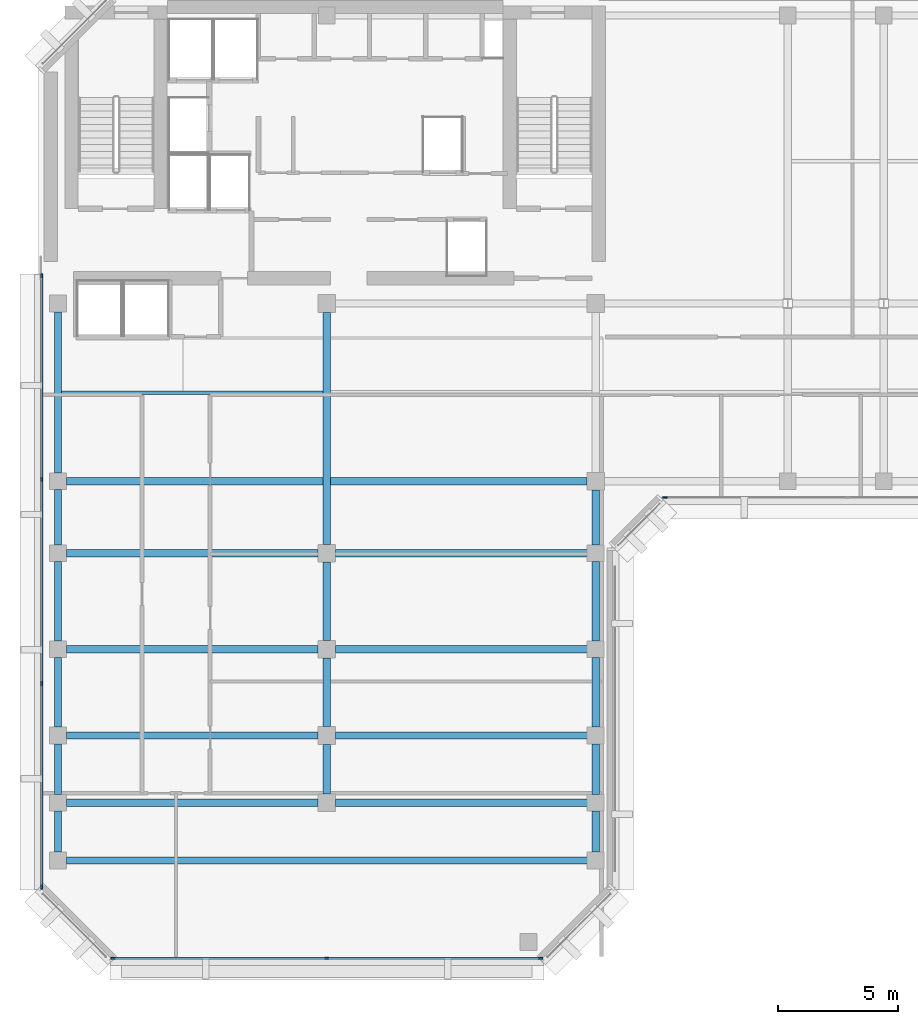
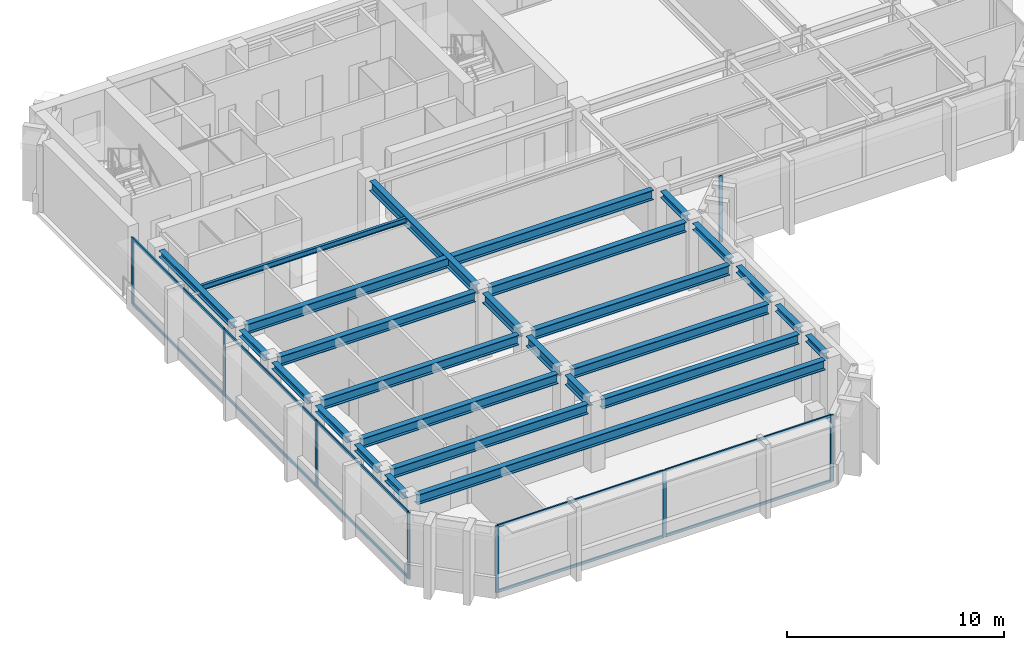
# One storey, part 2 of 11: 26 beams, 18 members, 3 elements without a shape of their own.
"""IFC4 building model written with IfcOpenShell, lengths in metres."""

from ifc_helpers import new_model, si_unit, direction, frame, origin, origin_2d, place, context, subcontext, project, spatial, rectangle, i_section, extrude, material, layer, layer_set, material_profile, profile_set, type_object, element, aggregate, save


model = new_model("IFC4")

# Units and contexts
model_context = context("Model", 3, precision=1e-05, world=origin(), true_north=direction((0.0, 1.0)))
body_context = subcontext(model_context, "Body", "Model", "MODEL_VIEW")
ifc_project = project(units=[si_unit("LENGTHUNIT", "METRE"), si_unit("AREAUNIT", "SQUARE_METRE"), si_unit("VOLUMEUNIT", "CUBIC_METRE"), si_unit("PLANEANGLEUNIT", "RADIAN"), si_unit("MASSUNIT", "GRAM", prefix="KILO")], contexts=[model_context])

# Site, building, storey
site_placement = place(None, origin())
site = spatial("IfcSite", under=ifc_project, at=site_placement, CompositionType="ELEMENT")
building_placement = place(site_placement, origin())
building = spatial("IfcBuilding", under=site, at=building_placement, Name="Kefirva Bronze Tower", CompositionType="ELEMENT")
storey_placement = place(building_placement, frame((0.0, 0.0, 288.090087890625)))
storey = spatial("IfcBuildingStorey", under=building, at=storey_placement, Name="L70", CompositionType="ELEMENT", Elevation=288.090087890625)

# Curtain wall, members
ifc_material_1 = material(Name="Bronze anodised aluminium", Category="aluminium")
ifc_layer = layer(ifc_material_1, 0.179931640625, Name="Bronze anodised aluminium")
ifc_layer_set = layer_set([ifc_layer], Name="Bronze anodised aluminium")
curtain_wall_type = type_object("IfcCurtainWallType", Name="Unitised Bronze Ribbon Curtain Wall Zone 4", PredefinedType="USERDEFINED", material=ifc_layer_set)
curtain_wall_1_placement = place(storey_placement, origin())
curtain_wall_1 = element("IfcCurtainWall", 1, at=curtain_wall_1_placement, inside=storey, type_object=curtain_wall_type, Name="L70 Curtain Wall 1", ObjectType="UNITISED CURTAIN WALL", PredefinedType="USERDEFINED")
ifc_material_profile_1 = material_profile(ifc_material_1, rectangle(XDim=0.074951171875, YDim=0.179931640625, at=origin_2d()), Name="ALU 75x180")
ifc_profile_set_1 = profile_set([ifc_material_profile_1], Name="Bronze anodised aluminium")
member_type_1 = type_object("IfcMemberType", Name="Bronze Mullion 75x180", PredefinedType="MULLION", material=ifc_profile_set_1)
member_1_placement = place(storey_placement, frame((3.092529296875, 5.919921875, 0.0), z_axis=(0.0, 0.0, 1.0), x_axis=(0.0, 1.0, 0.0)))
member_1 = element("IfcMember", 2, at=member_1_placement, type_object=member_type_1, Name="CW-04 mullion 1", PredefinedType="MULLION", context=body_context, shape_type="SweptSolid", body=[
    extrude(rectangle(XDim=0.074951171875, YDim=0.179931640625, at=origin_2d()), origin(), (0.0, 0.0, 1.0), 3.739990234375),
])
member_2_placement = place(storey_placement, frame((12.0, 5.919921875, 0.0), z_axis=(0.0, 0.0, 1.0), x_axis=(0.0, 1.0, 0.0)))
member_2 = element("IfcMember", 3, at=member_2_placement, type_object=member_type_1, Name="CW-04 mullion 2", PredefinedType="MULLION", context=body_context, shape_type="SweptSolid", body=[
    extrude(rectangle(XDim=0.074951171875, YDim=0.179931640625, at=origin_2d()), origin(), (0.0, 0.0, 1.0), 3.739990234375),
])
member_3_placement = place(storey_placement, frame((20.907470703125, 5.919921875, 0.0), z_axis=(0.0, 0.0, 1.0), x_axis=(0.0, 1.0, 0.0)))
member_3 = element("IfcMember", 4, at=member_3_placement, type_object=member_type_1, Name="CW-04 mullion 3", PredefinedType="MULLION", context=body_context, shape_type="SweptSolid", body=[
    extrude(rectangle(XDim=0.074951171875, YDim=0.179931640625, at=origin_2d()), origin(), (0.0, 0.0, 1.0), 3.739990234375),
])

# Curtain wall, member
curtain_wall_2_placement = place(storey_placement, origin())
curtain_wall_2 = element("IfcCurtainWall", 5, at=curtain_wall_2_placement, inside=storey, type_object=curtain_wall_type, Name="L70 Curtain Wall 2", ObjectType="UNITISED CURTAIN WALL", PredefinedType="USERDEFINED")
member_4_placement = place(storey_placement, frame((26.092529296875, 25.1201171875, 0.0), z_axis=(0.0, 0.0, 1.0), x_axis=(0.0, 1.0, 0.0)))
member_4 = element("IfcMember", 6, at=member_4_placement, type_object=member_type_1, Name="CW-04 mullion 1", PredefinedType="MULLION", context=body_context, shape_type="SweptSolid", body=[
    extrude(rectangle(XDim=0.074951171875, YDim=0.179931640625, at=origin_2d()), origin(), (0.0, 0.0, 1.0), 3.739990234375),
])
aggregate(curtain_wall_2, [member_4])

# Curtain wall, members
curtain_wall_3_placement = place(storey_placement, origin())
curtain_wall_3 = element("IfcCurtainWall", 7, at=curtain_wall_3_placement, inside=storey, type_object=curtain_wall_type, Name="L70 Curtain Wall 5", ObjectType="UNITISED CURTAIN WALL", PredefinedType="USERDEFINED")
member_5_placement = place(storey_placement, frame((0.1201171875, 34.357421875, 0.0), z_axis=(0.0, 0.0, 1.0), x_axis=(1.0, 0.0, 0.0)))
member_5 = element("IfcMember", 8, at=member_5_placement, type_object=member_type_1, Name="CW-04 mullion 1", PredefinedType="MULLION", context=body_context, shape_type="SweptSolid", body=[
    extrude(rectangle(XDim=0.074951171875, YDim=0.179931640625, at=origin_2d()), origin(), (0.0, 0.0, 1.0), 3.739990234375),
])
member_6_placement = place(storey_placement, frame((0.1201171875, 25.881591796875, 0.0), z_axis=(0.0, 0.0, 1.0), x_axis=(1.0, 0.0, 0.0)))
member_6 = element("IfcMember", 9, at=member_6_placement, type_object=member_type_1, Name="CW-04 mullion 2", PredefinedType="MULLION", context=body_context, shape_type="SweptSolid", body=[
    extrude(rectangle(XDim=0.074951171875, YDim=0.179931640625, at=origin_2d()), origin(), (0.0, 0.0, 1.0), 3.739990234375),
])
member_7_placement = place(storey_placement, frame((0.1201171875, 17.368408203125, 0.0), z_axis=(0.0, 0.0, 1.0), x_axis=(1.0, 0.0, 0.0)))
member_7 = element("IfcMember", 10, at=member_7_placement, type_object=member_type_1, Name="CW-04 mullion 3", PredefinedType="MULLION", context=body_context, shape_type="SweptSolid", body=[
    extrude(rectangle(XDim=0.074951171875, YDim=0.179931640625, at=origin_2d()), origin(), (0.0, 0.0, 1.0), 3.739990234375),
])
member_8_placement = place(storey_placement, frame((0.1201171875, 8.892578125, 0.0), z_axis=(0.0, 0.0, 1.0), x_axis=(1.0, 0.0, 0.0)))
member_8 = element("IfcMember", 11, at=member_8_placement, type_object=member_type_1, Name="CW-04 mullion 4", PredefinedType="MULLION", context=body_context, shape_type="SweptSolid", body=[
    extrude(rectangle(XDim=0.074951171875, YDim=0.179931640625, at=origin_2d()), origin(), (0.0, 0.0, 1.0), 3.739990234375),
])

# Member
ifc_material_profile_2 = material_profile(ifc_material_1, rectangle(XDim=0.074951171875, YDim=0.14990234375, at=origin_2d()), Name="ALU 75x150")
ifc_profile_set_2 = profile_set([ifc_material_profile_2], Name="Bronze anodised aluminium")
member_type_2 = type_object("IfcMemberType", Name="Bronze Transom 75x150", PredefinedType="USERDEFINED", material=ifc_profile_set_2)
member_9_placement = place(storey_placement, frame((3.1298828125, 5.919921875, 0.037353515625), z_axis=(1.0, 0.0, 0.0), x_axis=(0.0, 1.0, 0.0)))
member_9 = element("IfcMember", 12, at=member_9_placement, type_object=member_type_2, Name="CW-04 transom 1.1", ObjectType="TRANSOM", PredefinedType="USERDEFINED", context=body_context, shape_type="SweptSolid", body=[
    extrude(rectangle(XDim=0.074951171875, YDim=0.14990234375, at=origin_2d()), origin(), (0.0, 0.0, 1.0), 8.83251953125),
])

member_10_placement = place(storey_placement, frame((3.1298828125, 5.919921875, 3.702392578125), z_axis=(1.0, 0.0, 0.0), x_axis=(0.0, 1.0, 0.0)))
member_10 = element("IfcMember", 13, at=member_10_placement, type_object=member_type_2, Name="CW-04 transom 1.2", ObjectType="TRANSOM", PredefinedType="USERDEFINED", context=body_context, shape_type="SweptSolid", body=[
    extrude(rectangle(XDim=0.074951171875, YDim=0.14990234375, at=origin_2d()), origin(), (0.0, 0.0, 1.0), 8.83251953125),
])

member_11_placement = place(storey_placement, frame((12.03759765625, 5.919921875, 0.037353515625), z_axis=(1.0, 0.0, 0.0), x_axis=(0.0, 1.0, 0.0)))
member_11 = element("IfcMember", 14, at=member_11_placement, type_object=member_type_2, Name="CW-04 transom 2.1", ObjectType="TRANSOM", PredefinedType="USERDEFINED", context=body_context, shape_type="SweptSolid", body=[
    extrude(rectangle(XDim=0.074951171875, YDim=0.14990234375, at=origin_2d()), origin(), (0.0, 0.0, 1.0), 8.83251953125),
])

member_12_placement = place(storey_placement, frame((12.03759765625, 5.919921875, 3.702392578125), z_axis=(1.0, 0.0, 0.0), x_axis=(0.0, 1.0, 0.0)))
member_12 = element("IfcMember", 15, at=member_12_placement, type_object=member_type_2, Name="CW-04 transom 2.2", ObjectType="TRANSOM", PredefinedType="USERDEFINED", context=body_context, shape_type="SweptSolid", body=[
    extrude(rectangle(XDim=0.074951171875, YDim=0.14990234375, at=origin_2d()), origin(), (0.0, 0.0, 1.0), 8.83251953125),
])

aggregate(curtain_wall_1, [member_1, member_2, member_3, member_9, member_10, member_11, member_12])

member_13_placement = place(storey_placement, frame((0.1201171875, 34.320068359375, 0.037353515625), z_axis=(0.0, -1.0, 0.0), x_axis=(1.0, 0.0, 0.0)))
member_13 = element("IfcMember", 16, at=member_13_placement, type_object=member_type_2, Name="CW-04 transom 1.1", ObjectType="TRANSOM", PredefinedType="USERDEFINED", context=body_context, shape_type="SweptSolid", body=[
    extrude(rectangle(XDim=0.074951171875, YDim=0.14990234375, at=origin_2d()), origin(), (0.0, 0.0, 1.0), 8.40087890625),
])

member_14_placement = place(storey_placement, frame((0.1201171875, 34.320068359375, 3.702392578125), z_axis=(0.0, -1.0, 0.0), x_axis=(1.0, 0.0, 0.0)))
member_14 = element("IfcMember", 17, at=member_14_placement, type_object=member_type_2, Name="CW-04 transom 1.2", ObjectType="TRANSOM", PredefinedType="USERDEFINED", context=body_context, shape_type="SweptSolid", body=[
    extrude(rectangle(XDim=0.074951171875, YDim=0.14990234375, at=origin_2d()), origin(), (0.0, 0.0, 1.0), 8.40087890625),
])

member_15_placement = place(storey_placement, frame((0.1201171875, 25.84423828125, 0.037353515625), z_axis=(0.0, -1.0, 0.0), x_axis=(1.0, 0.0, 0.0)))
member_15 = element("IfcMember", 18, at=member_15_placement, type_object=member_type_2, Name="CW-04 transom 2.1", ObjectType="TRANSOM", PredefinedType="USERDEFINED", context=body_context, shape_type="SweptSolid", body=[
    extrude(rectangle(XDim=0.074951171875, YDim=0.14990234375, at=origin_2d()), origin(), (0.0, 0.0, 1.0), 8.4384765625),
])

member_16_placement = place(storey_placement, frame((0.1201171875, 25.84423828125, 3.702392578125), z_axis=(0.0, -1.0, 0.0), x_axis=(1.0, 0.0, 0.0)))
member_16 = element("IfcMember", 19, at=member_16_placement, type_object=member_type_2, Name="CW-04 transom 2.2", ObjectType="TRANSOM", PredefinedType="USERDEFINED", context=body_context, shape_type="SweptSolid", body=[
    extrude(rectangle(XDim=0.074951171875, YDim=0.14990234375, at=origin_2d()), origin(), (0.0, 0.0, 1.0), 8.4384765625),
])

member_17_placement = place(storey_placement, frame((0.1201171875, 17.330810546875, 0.037353515625), z_axis=(0.0, -1.0, 0.0), x_axis=(1.0, 0.0, 0.0)))
member_17 = element("IfcMember", 20, at=member_17_placement, type_object=member_type_2, Name="CW-04 transom 3.1", ObjectType="TRANSOM", PredefinedType="USERDEFINED", context=body_context, shape_type="SweptSolid", body=[
    extrude(rectangle(XDim=0.074951171875, YDim=0.14990234375, at=origin_2d()), origin(), (0.0, 0.0, 1.0), 8.40087890625),
])

member_18_placement = place(storey_placement, frame((0.1201171875, 17.330810546875, 3.702392578125), z_axis=(0.0, -1.0, 0.0), x_axis=(1.0, 0.0, 0.0)))
member_18 = element("IfcMember", 21, at=member_18_placement, type_object=member_type_2, Name="CW-04 transom 3.2", ObjectType="TRANSOM", PredefinedType="USERDEFINED", context=body_context, shape_type="SweptSolid", body=[
    extrude(rectangle(XDim=0.074951171875, YDim=0.14990234375, at=origin_2d()), origin(), (0.0, 0.0, 1.0), 8.40087890625),
])

aggregate(curtain_wall_3, [member_5, member_6, member_7, member_8, member_13, member_14, member_15, member_16, member_17, member_18])

# Beams
ifc_material_2 = material(Name="Steel S355", Category="steel")
ifc_material_profile_3 = material_profile(ifc_material_2, i_section(OverallWidth=0.14990234375, OverallDepth=0.300048828125, WebThickness=0.007080078125, FlangeThickness=0.0107421875, at=origin_2d()), Name="IPE 300")
ifc_profile_set_3 = profile_set([ifc_material_profile_3], Name="Steel S355")
beam_type_1 = type_object("IfcBeamType", Name="Steel Floor Joist IPE 300", PredefinedType="JOIST", material=ifc_profile_set_3)
beam_1_placement = place(storey_placement, frame((0.949951171875, 29.489990234375, 3.58984375), z_axis=(1.0, 0.0, 0.0), x_axis=(0.0, 1.0, 0.0)))
element("IfcBeam", 22, at=beam_1_placement, inside=storey, type_object=beam_type_1, Name="L70 JST-L70-0-294", PredefinedType="JOIST", context=body_context, shape_type="SweptSolid", body=[
    extrude(i_section(OverallWidth=0.14990234375, OverallDepth=0.300048828125, WebThickness=0.007080078125, FlangeThickness=0.0107421875, at=origin_2d()), origin(), (0.0, 0.0, 1.0), 10.900146484375),
])
ifc_material_profile_4 = material_profile(ifc_material_2, i_section(OverallWidth=0.300048828125, OverallDepth=0.550048828125, WebThickness=0.014892578125, FlangeThickness=0.029052734375, at=origin_2d()), Name="HEB 550")
ifc_profile_set_4 = profile_set([ifc_material_profile_4], Name="Steel S355")
beam_type_2 = type_object("IfcBeamType", Name="Steel Girder HEB 550", PredefinedType="USERDEFINED", material=ifc_profile_set_4)
beam_2_placement = place(storey_placement, frame((1.14990234375, 10.0, 3.46484375), z_axis=(1.0, 0.0, 0.0), x_axis=(0.0, 1.0, 0.0)))
element("IfcBeam", 23, at=beam_2_placement, inside=storey, type_object=beam_type_2, Name="L70 BM-L70-EW-0-100", ObjectType="GIRDER", PredefinedType="USERDEFINED", context=body_context, shape_type="SweptSolid", body=[
    extrude(i_section(OverallWidth=0.300048828125, OverallDepth=0.550048828125, WebThickness=0.014892578125, FlangeThickness=0.029052734375, at=origin_2d()), origin(), (0.0, 0.0, 1.0), 21.7001953125),
])
for number, where, z_axis, x_axis, name in (
    (24, (1.14990234375, 12.39990234375, 3.46484375), (1.0, 0.0, 0.0), (0.0, 1.0, 0.0), "L70 BM-L70-EW-0-124"),
    (25, (12.3701171875, 12.39990234375, 3.46484375), (1.0, 0.0, 0.0), (0.0, 1.0, 0.0), "L70 BM-L70-EW-12-124"),
    (26, (1.14990234375, 15.199951171875, 3.46484375), (1.0, 0.0, 0.0), (0.0, 1.0, 0.0), "L70 BM-L70-EW-0-152"),
    (27, (12.3701171875, 15.199951171875, 3.46484375), (1.0, 0.0, 0.0), (0.0, 1.0, 0.0), "L70 BM-L70-EW-12-152"),
    (28, (1.14990234375, 18.800048828125, 3.46484375), (1.0, 0.0, 0.0), (0.0, 1.0, 0.0), "L70 BM-L70-EW-0-188"),
    (29, (12.3701171875, 18.800048828125, 3.46484375), (1.0, 0.0, 0.0), (0.0, 1.0, 0.0), "L70 BM-L70-EW-12-188"),
    (30, (1.14990234375, 22.800048828125, 3.46484375), (1.0, 0.0, 0.0), (0.0, 1.0, 0.0), "L70 BM-L70-EW-0-228"),
    (31, (12.3701171875, 22.800048828125, 3.46484375), (1.0, 0.0, 0.0), (0.0, 1.0, 0.0), "L70 BM-L70-EW-12-228"),
):
    element("IfcBeam", number, at=place(storey_placement, frame(where, z_axis=z_axis, x_axis=x_axis)), inside=storey, type_object=beam_type_2, Name=name, ObjectType="GIRDER", PredefinedType="USERDEFINED", context=body_context, shape_type="SweptSolid", body=[
        extrude(i_section(OverallWidth=0.300048828125, OverallDepth=0.550048828125, WebThickness=0.014892578125, FlangeThickness=0.029052734375, at=origin_2d()), origin(), (0.0, 0.0, 1.0), 10.47998046875),
    ])
beam_3_placement = place(storey_placement, frame((1.14990234375, 25.800048828125, 3.46484375), z_axis=(1.0, 0.0, 0.0), x_axis=(0.0, 1.0, 0.0)))
element("IfcBeam", 32, at=beam_3_placement, inside=storey, type_object=beam_type_2, Name="L70 BM-L70-EW-0-258", ObjectType="GIRDER", PredefinedType="USERDEFINED", context=body_context, shape_type="SweptSolid", body=[
    extrude(i_section(OverallWidth=0.300048828125, OverallDepth=0.550048828125, WebThickness=0.014892578125, FlangeThickness=0.029052734375, at=origin_2d()), origin(), (0.0, 0.0, 1.0), 21.68017578125),
])
beam_4_placement = place(storey_placement, frame((12.0, 12.77001953125, 3.46484375), z_axis=(0.0, 1.0, 0.0), x_axis=(-1.0, 0.0, 0.0)))
element("IfcBeam", 33, at=beam_4_placement, inside=storey, type_object=beam_type_2, Name="L70 BM-L70-NS-120-12", ObjectType="GIRDER", PredefinedType="USERDEFINED", context=body_context, shape_type="SweptSolid", body=[
    extrude(i_section(OverallWidth=0.300048828125, OverallDepth=0.550048828125, WebThickness=0.014892578125, FlangeThickness=0.029052734375, at=origin_2d()), origin(), (0.0, 0.0, 1.0), 2.06005859375),
])
beam_5_placement = place(storey_placement, frame((12.0, 15.570068359375, 3.46484375), z_axis=(0.0, 1.0, 0.0), x_axis=(-1.0, 0.0, 0.0)))
element("IfcBeam", 34, at=beam_5_placement, inside=storey, type_object=beam_type_2, Name="L70 BM-L70-NS-120-15", ObjectType="GIRDER", PredefinedType="USERDEFINED", context=body_context, shape_type="SweptSolid", body=[
    extrude(i_section(OverallWidth=0.300048828125, OverallDepth=0.550048828125, WebThickness=0.014892578125, FlangeThickness=0.029052734375, at=origin_2d()), origin(), (0.0, 0.0, 1.0), 2.85986328125),
])
beam_6_placement = place(storey_placement, frame((12.0, 19.169921875, 3.46484375), z_axis=(0.0, 1.0, 0.0), x_axis=(-1.0, 0.0, 0.0)))
element("IfcBeam", 35, at=beam_6_placement, inside=storey, type_object=beam_type_2, Name="L70 BM-L70-NS-120-18", ObjectType="GIRDER", PredefinedType="USERDEFINED", context=body_context, shape_type="SweptSolid", body=[
    extrude(i_section(OverallWidth=0.300048828125, OverallDepth=0.550048828125, WebThickness=0.014892578125, FlangeThickness=0.029052734375, at=origin_2d()), origin(), (0.0, 0.0, 1.0), 3.260009765625),
])
beam_7_placement = place(storey_placement, frame((12.0, 23.169921875, 3.46484375), z_axis=(0.0, 1.0, 0.0), x_axis=(-1.0, 0.0, 0.0)))
element("IfcBeam", 36, at=beam_7_placement, inside=storey, type_object=beam_type_2, Name="L70 BM-L70-NS-120-22", ObjectType="GIRDER", PredefinedType="USERDEFINED", context=body_context, shape_type="SweptSolid", body=[
    extrude(i_section(OverallWidth=0.300048828125, OverallDepth=0.550048828125, WebThickness=0.014892578125, FlangeThickness=0.029052734375, at=origin_2d()), origin(), (0.0, 0.0, 1.0), 9.66015625),
])
ifc_material_profile_5 = material_profile(ifc_material_2, i_section(OverallWidth=0.300048828125, OverallDepth=0.360107421875, WebThickness=0.012451171875, FlangeThickness=0.0224609375, at=origin_2d()), Name="HEB 360")
ifc_profile_set_5 = profile_set([ifc_material_profile_5], Name="Steel S355")
beam_type_3 = type_object("IfcBeamType", Name="Steel Spandrel HEB 360 Ext", PredefinedType="SPANDREL", material=ifc_profile_set_5)
beam_8_placement = place(storey_placement, frame((0.800048828125, 10.35009765625, 3.559814453125), z_axis=(0.0, 1.0, 0.0), x_axis=(-1.0, 0.0, 0.0)))
element("IfcBeam", 37, at=beam_8_placement, inside=storey, type_object=beam_type_3, Name="L70 BM-L70-NS-8-10", PredefinedType="SPANDREL", context=body_context, shape_type="SweptSolid", body=[
    extrude(i_section(OverallWidth=0.300048828125, OverallDepth=0.360107421875, WebThickness=0.012451171875, FlangeThickness=0.0224609375, at=origin_2d()), origin(), (0.0, 0.0, 1.0), 1.699951171875),
])
beam_9_placement = place(storey_placement, frame((0.800048828125, 12.75, 3.559814453125), z_axis=(0.0, 1.0, 0.0), x_axis=(-1.0, 0.0, 0.0)))
element("IfcBeam", 38, at=beam_9_placement, inside=storey, type_object=beam_type_3, Name="L70 BM-L70-NS-8-12", PredefinedType="SPANDREL", context=body_context, shape_type="SweptSolid", body=[
    extrude(i_section(OverallWidth=0.300048828125, OverallDepth=0.360107421875, WebThickness=0.012451171875, FlangeThickness=0.0224609375, at=origin_2d()), origin(), (0.0, 0.0, 1.0), 2.10009765625),
])
beam_10_placement = place(storey_placement, frame((0.800048828125, 15.550048828125, 3.559814453125), z_axis=(0.0, 1.0, 0.0), x_axis=(-1.0, 0.0, 0.0)))
element("IfcBeam", 39, at=beam_10_placement, inside=storey, type_object=beam_type_3, Name="L70 BM-L70-NS-8-15", PredefinedType="SPANDREL", context=body_context, shape_type="SweptSolid", body=[
    extrude(i_section(OverallWidth=0.300048828125, OverallDepth=0.360107421875, WebThickness=0.012451171875, FlangeThickness=0.0224609375, at=origin_2d()), origin(), (0.0, 0.0, 1.0), 2.89990234375),
])
beam_11_placement = place(storey_placement, frame((0.800048828125, 19.14990234375, 3.559814453125), z_axis=(0.0, 1.0, 0.0), x_axis=(-1.0, 0.0, 0.0)))
element("IfcBeam", 40, at=beam_11_placement, inside=storey, type_object=beam_type_3, Name="L70 BM-L70-NS-8-18", PredefinedType="SPANDREL", context=body_context, shape_type="SweptSolid", body=[
    extrude(i_section(OverallWidth=0.300048828125, OverallDepth=0.360107421875, WebThickness=0.012451171875, FlangeThickness=0.0224609375, at=origin_2d()), origin(), (0.0, 0.0, 1.0), 3.300048828125),
])
beam_12_placement = place(storey_placement, frame((0.800048828125, 23.14990234375, 3.559814453125), z_axis=(0.0, 1.0, 0.0), x_axis=(-1.0, 0.0, 0.0)))
element("IfcBeam", 41, at=beam_12_placement, inside=storey, type_object=beam_type_3, Name="L70 BM-L70-NS-8-22", PredefinedType="SPANDREL", context=body_context, shape_type="SweptSolid", body=[
    extrude(i_section(OverallWidth=0.300048828125, OverallDepth=0.360107421875, WebThickness=0.012451171875, FlangeThickness=0.0224609375, at=origin_2d()), origin(), (0.0, 0.0, 1.0), 2.300048828125),
])
beam_13_placement = place(storey_placement, frame((0.800048828125, 26.14990234375, 3.559814453125), z_axis=(0.0, 1.0, 0.0), x_axis=(-1.0, 0.0, 0.0)))
element("IfcBeam", 42, at=beam_13_placement, inside=storey, type_object=beam_type_3, Name="L70 BM-L70-NS-8-25", PredefinedType="SPANDREL", context=body_context, shape_type="SweptSolid", body=[
    extrude(i_section(OverallWidth=0.300048828125, OverallDepth=0.360107421875, WebThickness=0.012451171875, FlangeThickness=0.0224609375, at=origin_2d()), origin(), (0.0, 0.0, 1.0), 6.7001953125),
])
beam_14_placement = place(storey_placement, frame((23.199951171875, 10.35009765625, 3.559814453125), z_axis=(0.0, 1.0, 0.0), x_axis=(-1.0, 0.0, 0.0)))
element("IfcBeam", 43, at=beam_14_placement, inside=storey, type_object=beam_type_3, Name="L70 BM-L70-NS-232-10", PredefinedType="SPANDREL", context=body_context, shape_type="SweptSolid", body=[
    extrude(i_section(OverallWidth=0.300048828125, OverallDepth=0.360107421875, WebThickness=0.012451171875, FlangeThickness=0.0224609375, at=origin_2d()), origin(), (0.0, 0.0, 1.0), 1.699951171875),
])
beam_15_placement = place(storey_placement, frame((23.199951171875, 12.75, 3.559814453125), z_axis=(0.0, 1.0, 0.0), x_axis=(-1.0, 0.0, 0.0)))
element("IfcBeam", 44, at=beam_15_placement, inside=storey, type_object=beam_type_3, Name="L70 BM-L70-NS-232-12", PredefinedType="SPANDREL", context=body_context, shape_type="SweptSolid", body=[
    extrude(i_section(OverallWidth=0.300048828125, OverallDepth=0.360107421875, WebThickness=0.012451171875, FlangeThickness=0.0224609375, at=origin_2d()), origin(), (0.0, 0.0, 1.0), 2.10009765625),
])
beam_16_placement = place(storey_placement, frame((23.199951171875, 15.550048828125, 3.559814453125), z_axis=(0.0, 1.0, 0.0), x_axis=(-1.0, 0.0, 0.0)))
element("IfcBeam", 45, at=beam_16_placement, inside=storey, type_object=beam_type_3, Name="L70 BM-L70-NS-232-15", PredefinedType="SPANDREL", context=body_context, shape_type="SweptSolid", body=[
    extrude(i_section(OverallWidth=0.300048828125, OverallDepth=0.360107421875, WebThickness=0.012451171875, FlangeThickness=0.0224609375, at=origin_2d()), origin(), (0.0, 0.0, 1.0), 2.89990234375),
])
beam_17_placement = place(storey_placement, frame((23.199951171875, 19.14990234375, 3.559814453125), z_axis=(0.0, 1.0, 0.0), x_axis=(-1.0, 0.0, 0.0)))
element("IfcBeam", 46, at=beam_17_placement, inside=storey, type_object=beam_type_3, Name="L70 BM-L70-NS-232-18", PredefinedType="SPANDREL", context=body_context, shape_type="SweptSolid", body=[
    extrude(i_section(OverallWidth=0.300048828125, OverallDepth=0.360107421875, WebThickness=0.012451171875, FlangeThickness=0.0224609375, at=origin_2d()), origin(), (0.0, 0.0, 1.0), 3.300048828125),
])
beam_18_placement = place(storey_placement, frame((23.199951171875, 23.14990234375, 3.559814453125), z_axis=(0.0, 1.0, 0.0), x_axis=(-1.0, 0.0, 0.0)))
element("IfcBeam", 47, at=beam_18_placement, inside=storey, type_object=beam_type_3, Name="L70 BM-L70-NS-232-22", PredefinedType="SPANDREL", context=body_context, shape_type="SweptSolid", body=[
    extrude(i_section(OverallWidth=0.300048828125, OverallDepth=0.360107421875, WebThickness=0.012451171875, FlangeThickness=0.0224609375, at=origin_2d()), origin(), (0.0, 0.0, 1.0), 2.280029296875),
])

save(model, "model.ifc")
